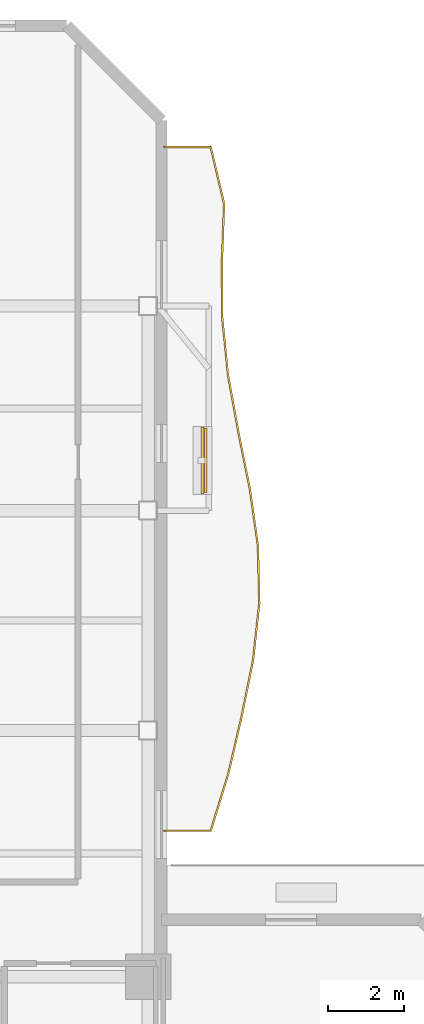
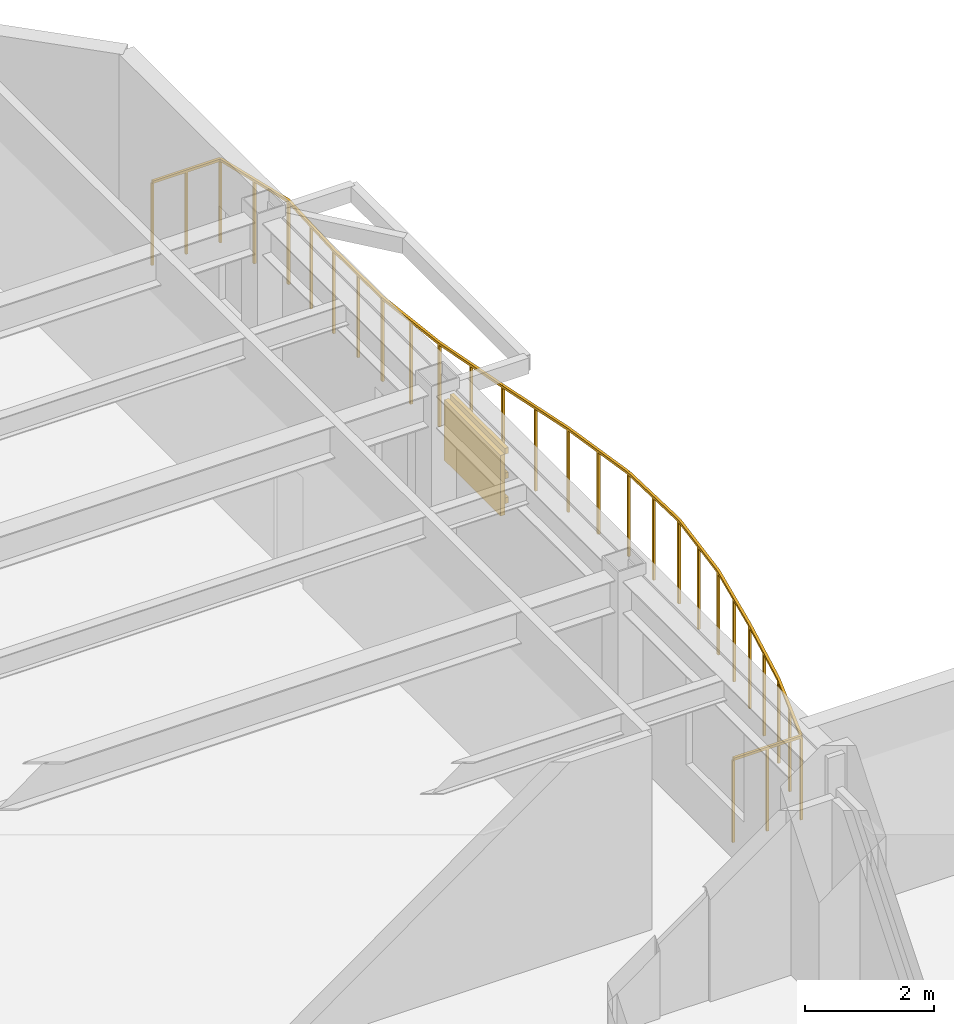
# One storey, part 15 of 15: 4 shading devices, 1 railing.
"""IFC4 building model written with IfcOpenShell, lengths in metres."""

from ifc_helpers import new_model, si_unit, direction, frame, origin, origin_2d, place, context, subcontext, project, spatial, rectangle, extrude, material, layer, layer_set, material_profile, profile_set, type_object, element, save


model = new_model("IFC4")

# Units and contexts
model_context = context("Model", 3, precision=1e-05, world=origin(), true_north=direction((0.0, 1.0)))
body_context = subcontext(model_context, "Body", "Model", "MODEL_VIEW")
ifc_project = project(units=[si_unit("LENGTHUNIT", "METRE"), si_unit("AREAUNIT", "SQUARE_METRE"), si_unit("VOLUMEUNIT", "CUBIC_METRE"), si_unit("PLANEANGLEUNIT", "RADIAN"), si_unit("MASSUNIT", "GRAM", prefix="KILO")], contexts=[model_context])

# Site, building, storey
site_placement = place(None, origin())
site = spatial("IfcSite", under=ifc_project, at=site_placement, CompositionType="ELEMENT")
building_placement = place(site_placement, origin())
building = spatial("IfcBuilding", under=site, at=building_placement, Name="Mawjaban Terraces University", CompositionType="ELEMENT")
storey_placement = place(building_placement, frame((0.0, 0.0, 142.39990234375)))
storey = spatial("IfcBuildingStorey", under=building, at=storey_placement, Name="L34", CompositionType="ELEMENT", Elevation=142.39990234375)

# Railing
ifc_material_1 = material(Name="Galvanised powder-coated steel S355", Category="steel")
railing_type = type_object("IfcRailingType", Name="BalconyBalustrade_1600", PredefinedType="BALUSTRADE", material=ifc_material_1)
railing_placement = place(storey_placement, frame((38.080078125, 27.35009765625, 0.0)))
element("IfcRailing", 1, at=railing_placement, inside=storey, type_object=railing_type, Name="L34 Balcony Guardrail inner_east", PredefinedType="BALUSTRADE", context=body_context, shape_type="SweptSolid", body=[
    extrude(rectangle(XDim=0.048095703125, YDim=0.048095703125, at=origin_2d()), frame((0.0, 0.0, 1.576171875), z_axis=(1.0, 0.0, 0.0), x_axis=(0.0, 1.0, 0.0)), (0.0, 0.0, 1.0), 1.219970703125),
    extrude(rectangle(XDim=0.048095703125, YDim=0.048095703125, at=origin_2d()), frame((1.219970703125, 0.0, 1.576171875), z_axis=(0.295306270849, 0.955402640983, 0.0), x_axis=(-0.955402640983, 0.295306270849, 0.0)), (0.0, 0.0, 1.0), 1.57421875),
    extrude(rectangle(XDim=0.048095703125, YDim=0.048095703125, at=origin_2d()), frame((1.684814453125, 1.50390625, 1.576171875), z_axis=(0.226729764759, 0.973957706357, 0.0), x_axis=(-0.973957706357, 0.226729764759, 0.0)), (0.0, 0.0, 1.0), 1.544189453125),
    extrude(rectangle(XDim=0.048095703125, YDim=0.048095703125, at=origin_2d()), frame((2.034912109375, 3.0078125, 1.576171875), z_axis=(0.199172030851, 0.97996454126, 0.0), x_axis=(-0.97996454126, 0.199172030851, 0.0)), (0.0, 0.0, 1.0), 1.535888671875),
    extrude(rectangle(XDim=0.048095703125, YDim=0.048095703125, at=origin_2d()), frame((2.3408203125, 4.512939453125, 1.576171875), z_axis=(0.107809514302, 0.994171569009, 0.0), x_axis=(-0.994171569009, 0.107809514302, 0.0)), (0.0, 0.0, 1.0), 1.5126953125),
    extrude(rectangle(XDim=0.048095703125, YDim=0.048095703125, at=origin_2d()), frame((2.50390625, 6.016845703125, 1.576171875), z_axis=(-0.024501650416, 0.9996997895, 0.0), x_axis=(-0.9996997895, -0.024501650416, 0.0)), (0.0, 0.0, 1.0), 1.504638671875),
    extrude(rectangle(XDim=0.048095703125, YDim=0.048095703125, at=origin_2d()), frame((2.467041015625, 7.52099609375, 1.576171875), z_axis=(-0.140948832071, 0.990016882047, 0.0), x_axis=(-0.990016882047, -0.140948832071, 0.0)), (0.0, 0.0, 1.0), 1.51904296875),
    extrude(rectangle(XDim=0.048095703125, YDim=0.048095703125, at=origin_2d()), frame((2.2529296875, 9.02490234375, 1.576171875), z_axis=(-0.19749311743, 0.980304273462, 0.0), x_axis=(-0.980304273462, -0.19749311743, 0.0)), (0.0, 0.0, 1.0), 1.5341796875),
    extrude(rectangle(XDim=0.048095703125, YDim=0.048095703125, at=origin_2d()), frame((1.949951171875, 10.52880859375, 1.576171875), z_axis=(-0.178548134611, 0.983931178298, 0.0), x_axis=(-0.983931178298, -0.178548134611, 0.0)), (0.0, 0.0, 1.0), 1.52880859375),
    extrude(rectangle(XDim=0.048095703125, YDim=0.048095703125, at=origin_2d()), frame((1.677001953125, 12.032958984375, 1.576171875), z_axis=(-0.099919248093, 0.994995549669, 0.0), x_axis=(-0.994995549669, -0.099919248093, 0.0)), (0.0, 0.0, 1.0), 1.512451171875),
    extrude(rectangle(XDim=0.048095703125, YDim=0.048095703125, at=origin_2d()), frame((1.52587890625, 13.537841796875, 1.576171875), z_axis=(-0.005356196499, 0.999985655477, 0.0), x_axis=(-0.999985655477, -0.005356196499, 0.0)), (0.0, 0.0, 1.0), 1.504150390625),
    extrude(rectangle(XDim=0.048095703125, YDim=0.048095703125, at=origin_2d()), frame((1.517822265625, 15.0419921875, 1.576171875), z_axis=(0.037959634734, 0.999279273342, 0.0), x_axis=(-0.999279273342, 0.037959634734, 0.0)), (0.0, 0.0, 1.0), 1.5048828125),
    extrude(rectangle(XDim=0.048095703125, YDim=0.048095703125, at=origin_2d()), frame((1.574951171875, 16.5458984375, 1.576171875), z_axis=(-0.229726170747, 0.973255303851, 0.0), x_axis=(-0.973255303851, -0.229726170747, 0.0)), (0.0, 0.0, 1.0), 1.545166015625),
    extrude(rectangle(XDim=0.048095703125, YDim=0.048095703125, at=origin_2d()), frame((1.219970703125, 18.0498046875, 1.576171875), z_axis=(-1.0, 0.0, 0.0), x_axis=(0.0, -1.0, 0.0)), (0.0, 0.0, 1.0), 1.219970703125),
    extrude(rectangle(XDim=0.0419921875, YDim=0.0419921875, at=origin_2d()), origin(), (0.0, 0.0, 1.0), 1.552001953125),
    extrude(rectangle(XDim=0.0419921875, YDim=0.0419921875, at=origin_2d()), frame((0.60986328125, 0.0, 0.0)), (0.0, 0.0, 1.0), 1.552001953125),
    extrude(rectangle(XDim=0.0419921875, YDim=0.0419921875, at=origin_2d()), frame((1.219970703125, 0.0, 0.0)), (0.0, 0.0, 1.0), 1.552001953125),
    extrude(rectangle(XDim=0.0419921875, YDim=0.0419921875, at=origin_2d()), frame((1.452392578125, 0.751953125, 0.0)), (0.0, 0.0, 1.0), 1.552001953125),
    extrude(rectangle(XDim=0.0419921875, YDim=0.0419921875, at=origin_2d()), frame((1.684814453125, 1.50390625, 0.0)), (0.0, 0.0, 1.0), 1.552001953125),
    extrude(rectangle(XDim=0.0419921875, YDim=0.0419921875, at=origin_2d()), frame((1.85986328125, 2.255859375, 0.0)), (0.0, 0.0, 1.0), 1.552001953125),
    extrude(rectangle(XDim=0.0419921875, YDim=0.0419921875, at=origin_2d()), frame((2.034912109375, 3.0078125, 0.0)), (0.0, 0.0, 1.0), 1.552001953125),
    extrude(rectangle(XDim=0.0419921875, YDim=0.0419921875, at=origin_2d()), frame((2.18798828125, 3.76025390625, 0.0)), (0.0, 0.0, 1.0), 1.552001953125),
    extrude(rectangle(XDim=0.0419921875, YDim=0.0419921875, at=origin_2d()), frame((2.3408203125, 4.512939453125, 0.0)), (0.0, 0.0, 1.0), 1.552001953125),
    extrude(rectangle(XDim=0.0419921875, YDim=0.0419921875, at=origin_2d()), frame((2.42236328125, 5.264892578125, 0.0)), (0.0, 0.0, 1.0), 1.552001953125),
    extrude(rectangle(XDim=0.0419921875, YDim=0.0419921875, at=origin_2d()), frame((2.50390625, 6.016845703125, 0.0)), (0.0, 0.0, 1.0), 1.552001953125),
    extrude(rectangle(XDim=0.0419921875, YDim=0.0419921875, at=origin_2d()), frame((2.4853515625, 6.76904296875, 0.0)), (0.0, 0.0, 1.0), 1.552001953125),
    extrude(rectangle(XDim=0.0419921875, YDim=0.0419921875, at=origin_2d()), frame((2.467041015625, 7.52099609375, 0.0)), (0.0, 0.0, 1.0), 1.552001953125),
    extrude(rectangle(XDim=0.0419921875, YDim=0.0419921875, at=origin_2d()), frame((2.35986328125, 8.27294921875, 0.0)), (0.0, 0.0, 1.0), 1.552001953125),
    extrude(rectangle(XDim=0.0419921875, YDim=0.0419921875, at=origin_2d()), frame((2.2529296875, 9.02490234375, 0.0)), (0.0, 0.0, 1.0), 1.552001953125),
    extrude(rectangle(XDim=0.0419921875, YDim=0.0419921875, at=origin_2d()), frame((2.1015625, 9.77685546875, 0.0)), (0.0, 0.0, 1.0), 1.552001953125),
    extrude(rectangle(XDim=0.0419921875, YDim=0.0419921875, at=origin_2d()), frame((1.949951171875, 10.52880859375, 0.0)), (0.0, 0.0, 1.0), 1.552001953125),
    extrude(rectangle(XDim=0.0419921875, YDim=0.0419921875, at=origin_2d()), frame((1.8134765625, 11.28076171875, 0.0)), (0.0, 0.0, 1.0), 1.552001953125),
    extrude(rectangle(XDim=0.0419921875, YDim=0.0419921875, at=origin_2d()), frame((1.677001953125, 12.032958984375, 0.0)), (0.0, 0.0, 1.0), 1.552001953125),
    extrude(rectangle(XDim=0.0419921875, YDim=0.0419921875, at=origin_2d()), frame((1.6015625, 12.785400390625, 0.0)), (0.0, 0.0, 1.0), 1.552001953125),
    extrude(rectangle(XDim=0.0419921875, YDim=0.0419921875, at=origin_2d()), frame((1.52587890625, 13.537841796875, 0.0)), (0.0, 0.0, 1.0), 1.552001953125),
    extrude(rectangle(XDim=0.0419921875, YDim=0.0419921875, at=origin_2d()), frame((1.52197265625, 14.2900390625, 0.0)), (0.0, 0.0, 1.0), 1.552001953125),
    extrude(rectangle(XDim=0.0419921875, YDim=0.0419921875, at=origin_2d()), frame((1.517822265625, 15.0419921875, 0.0)), (0.0, 0.0, 1.0), 1.552001953125),
    extrude(rectangle(XDim=0.0419921875, YDim=0.0419921875, at=origin_2d()), frame((1.54638671875, 15.7939453125, 0.0)), (0.0, 0.0, 1.0), 1.552001953125),
    extrude(rectangle(XDim=0.0419921875, YDim=0.0419921875, at=origin_2d()), frame((1.574951171875, 16.5458984375, 0.0)), (0.0, 0.0, 1.0), 1.552001953125),
    extrude(rectangle(XDim=0.0419921875, YDim=0.0419921875, at=origin_2d()), frame((1.3974609375, 17.2978515625, 0.0)), (0.0, 0.0, 1.0), 1.552001953125),
    extrude(rectangle(XDim=0.0419921875, YDim=0.0419921875, at=origin_2d()), frame((1.219970703125, 18.0498046875, 0.0)), (0.0, 0.0, 1.0), 1.552001953125),
    extrude(rectangle(XDim=0.0419921875, YDim=0.0419921875, at=origin_2d()), frame((0.60986328125, 18.0498046875, 0.0)), (0.0, 0.0, 1.0), 1.552001953125),
    extrude(rectangle(XDim=0.0419921875, YDim=0.0419921875, at=origin_2d()), frame((0.0, 18.0498046875, 0.0)), (0.0, 0.0, 1.0), 1.552001953125),
])

# Shading devices
ifc_material_2 = material(Name="Glazed architectural terracotta ceramic", Category="masonry")
ifc_material_profile = material_profile(ifc_material_2, rectangle(XDim=0.06494140625, YDim=0.110107421875, at=origin_2d()), Name="TBAG110X65")
ifc_profile_set = profile_set([ifc_material_profile], Name="Glazed architectural terracotta ceramic")
shading_device_type_1 = type_object("IfcShadingDeviceType", Name="TerracottaBaguette_110x65", PredefinedType="USERDEFINED", material=ifc_profile_set)
for number, where, z_axis, x_axis, name in (
    (2, (39.1708984375, 36.277099609375, 0.68017578125), (0.0, 1.0, 0.0), (-1.0, 0.0, 0.0), "L34 Horizontal Terracotta Baguette inner_east.1"),
    (3, (39.1708984375, 36.277099609375, 1.150146484375), (0.0, 1.0, 0.0), (-1.0, 0.0, 0.0), "L34 Horizontal Terracotta Baguette inner_east.2"),
    (4, (39.1708984375, 36.277099609375, 1.6201171875), (0.0, 1.0, 0.0), (-1.0, 0.0, 0.0), "L34 Horizontal Terracotta Baguette inner_east.3"),
):
    element("IfcShadingDevice", number, at=place(storey_placement, frame(where, z_axis=z_axis, x_axis=x_axis)), inside=storey, type_object=shading_device_type_1, Name=name, ObjectType="BAGUETTE", PredefinedType="USERDEFINED", context=body_context, shape_type="SweptSolid", body=[
        extrude(rectangle(XDim=0.06494140625, YDim=0.110107421875, at=origin_2d()), origin(), (0.0, 0.0, 1.0), 1.699951171875),
    ])
ifc_layer = layer(ifc_material_2, 0.080078125)
ifc_layer_set = layer_set([ifc_layer], Name="Glazed architectural terracotta ceramic")
shading_device_type_2 = type_object("IfcShadingDeviceType", Name="TerracottaScreen_Perforated", PredefinedType="USERDEFINED", material=ifc_layer_set)
shading_device_placement = place(storey_placement, frame((39.0859375, 37.126953125, 0.440185546875), z_axis=(0.0, 0.0, 1.0), x_axis=(0.0, 1.0, 0.0)))
element("IfcShadingDevice", 5, at=shading_device_placement, inside=storey, type_object=shading_device_type_2, Name="L34 Balcony Perforated Terracotta Screen inner_east", ObjectType="SCREEN", PredefinedType="USERDEFINED", context=body_context, shape_type="SweptSolid", body=[
    extrude(rectangle(XDim=1.75, YDim=0.080078125, at=origin_2d()), origin(), (0.0, 0.0, 1.0), 1.14990234375),
])

save(model, "model.ifc")
